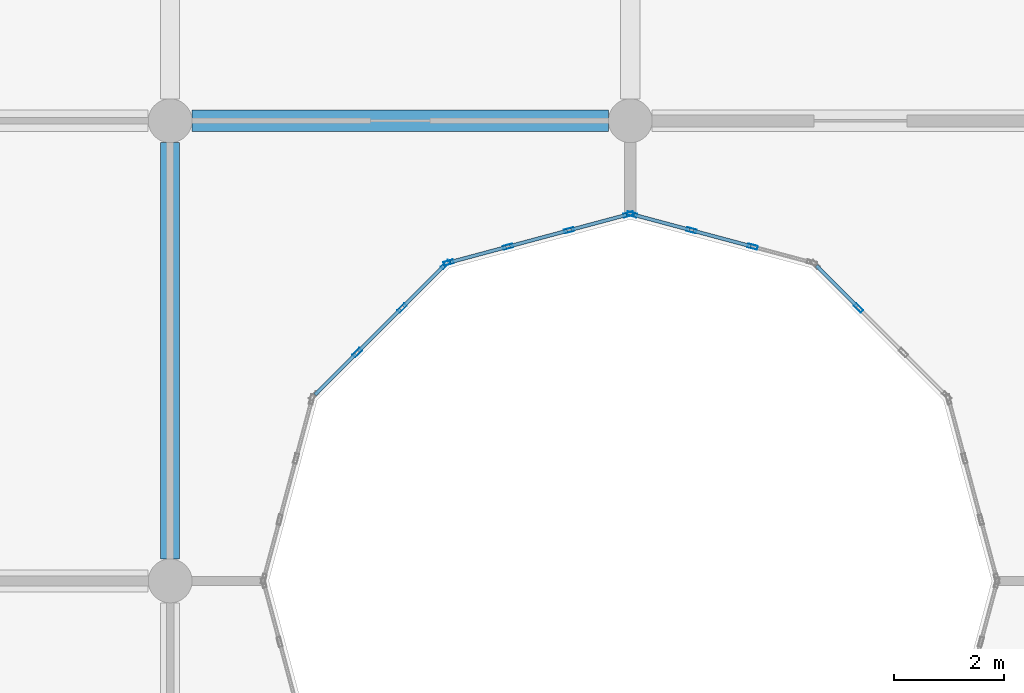
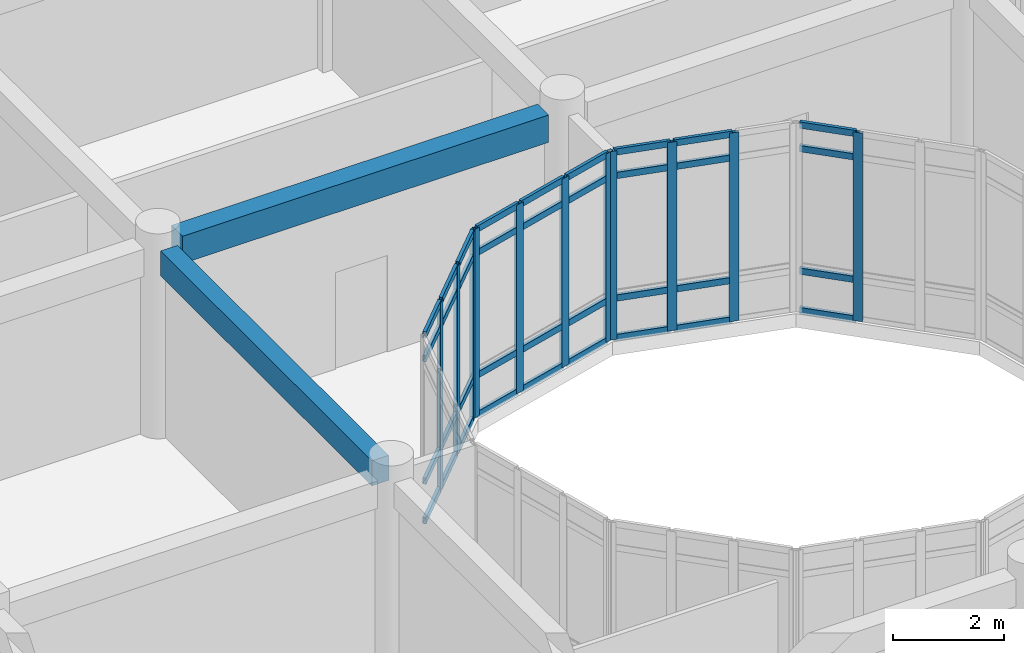
# One storey, part 36 of 144: 47 members, 2 beams, 4 elements without a shape of their own.
"""IFC4 building model written with IfcOpenShell, lengths in metres."""

from ifc_helpers import new_model, si_unit, direction, frame, origin, origin_2d, place, context, subcontext, project, spatial, rectangle, hollow_rectangle, extrude, material, layer, layer_set, material_profile, profile_set, type_object, element, aggregate, save


model = new_model("IFC4")

# Units and contexts
model_context = context("Model", 3, precision=1e-05, world=origin(), true_north=direction((0.0, 1.0)))
body_context = subcontext(model_context, "Body", "Model", "MODEL_VIEW")
ifc_project = project(units=[si_unit("LENGTHUNIT", "METRE"), si_unit("AREAUNIT", "SQUARE_METRE"), si_unit("VOLUMEUNIT", "CUBIC_METRE"), si_unit("PLANEANGLEUNIT", "RADIAN"), si_unit("MASSUNIT", "GRAM", prefix="KILO")], contexts=[model_context])

# Site, building, storey
site_placement = place(None, origin())
site = spatial("IfcSite", under=ifc_project, at=site_placement, CompositionType="ELEMENT")
building_placement = place(site_placement, origin())
building = spatial("IfcBuilding", under=site, at=building_placement, Name="Bramfleet General Hospital", CompositionType="ELEMENT")
storey_placement = place(building_placement, frame((0.0, 0.0, 4.800048828125)))
storey = spatial("IfcBuildingStorey", under=building, at=storey_placement, Name="L01", CompositionType="ELEMENT", Elevation=4.800048828125)

# Beams
ifc_material_1 = material(Name="Concrete C35/45", Category="concrete")
ifc_material_profile_1 = material_profile(ifc_material_1, rectangle(XDim=0.35009765625, YDim=0.550048828125, at=origin_2d()), Name="RC BM 550x350")
ifc_profile_set_1 = profile_set([ifc_material_profile_1], Name="Concrete C35/45")
beam_type_1 = type_object("IfcBeamType", Name="BM-RC550", PredefinedType="BEAM", material=ifc_profile_set_1)
beam_1_placement = place(storey_placement, frame((16.800048828125, 84.39990234375, 3.875), z_axis=(0.0, 1.0, 0.0), x_axis=(-1.0, 0.0, 0.0)))
element("IfcBeam", 1, at=beam_1_placement, inside=storey, type_object=beam_type_1, Name="L01 Grid Beam Y 02-10", PredefinedType="BEAM", context=body_context, shape_type="SweptSolid", body=[
    extrude(rectangle(XDim=0.35009765625, YDim=0.550048828125, at=origin_2d()), origin(), (0.0, 0.0, 1.0), 7.60009765625),
])
ifc_material_profile_2 = material_profile(ifc_material_1, rectangle(XDim=0.39990234375, YDim=0.60009765625, at=origin_2d()), Name="RC BM 600x400")
ifc_profile_set_2 = profile_set([ifc_material_profile_2], Name="Concrete C35/45")
beam_type_2 = type_object("IfcBeamType", Name="BM-RC600", PredefinedType="BEAM", material=ifc_profile_set_2)
beam_2_placement = place(storey_placement, frame((17.199951171875, 92.39990234375, 3.849853515625), z_axis=(1.0, 0.0, 0.0), x_axis=(0.0, 1.0, 0.0)))
element("IfcBeam", 2, at=beam_2_placement, inside=storey, type_object=beam_type_2, Name="L01 Grid Beam X 02-11", PredefinedType="BEAM", context=body_context, shape_type="SweptSolid", body=[
    extrude(rectangle(XDim=0.39990234375, YDim=0.60009765625, at=origin_2d()), origin(), (0.0, 0.0, 1.0), 7.60009765625),
])

# Curtain wall, member
ifc_material_2 = material(Name="Anodised aluminium and low-E triple glazing", Category="aluminium")
ifc_layer_1 = layer(ifc_material_2, 0.179931640625, Name="CWT-CW-16")
ifc_layer_set_1 = layer_set([ifc_layer_1], Name="Anodised aluminium and low-E triple glazing")
curtain_wall_type_1 = type_object("IfcCurtainWallType", Name="CWT-CW-16", PredefinedType="USERDEFINED", material=ifc_layer_set_1)
curtain_wall_1_placement = place(storey_placement, origin())
curtain_wall_1 = element("IfcCurtainWall", 3, at=curtain_wall_1_placement, inside=storey, type_object=curtain_wall_type_1, Name="L01 West Clinical Light Court Curtain Wall 8.1", ObjectType="Stick curtain wall", PredefinedType="USERDEFINED")
ifc_material_3 = material(Name="Anodised aluminium EN AW-6060", Category="aluminium")
ifc_material_profile_3 = material_profile(ifc_material_3, hollow_rectangle(XDim=0.070068359375, YDim=0.179931640625, WallThickness=0.00390625, at=origin_2d()), Name="ALU 180x70x4.0")
ifc_profile_set_3 = profile_set([ifc_material_profile_3], Name="Anodised aluminium EN AW-6060")
member_type_1 = type_object("IfcMemberType", Name="CWM-ALU180", PredefinedType="MULLION", material=ifc_profile_set_3)
member_1_placement = place(storey_placement, frame((29.367431640625, 88.984619140625, 0.0), z_axis=(0.0, 0.0, 1.0), x_axis=(-0.707106781187, -0.707106781187, 0.0)))
member_1 = element("IfcMember", 4, at=member_1_placement, type_object=member_type_1, Name="CW-16 mullion 3", PredefinedType="MULLION", context=body_context, shape_type="SweptSolid", body=[
    extrude(hollow_rectangle(XDim=0.070068359375, YDim=0.179931640625, WallThickness=0.00390625, at=origin_2d()), origin(), (0.0, 0.0, 1.0), 4.139892578125),
])

# Curtain wall, members
ifc_layer_2 = layer(ifc_material_2, 0.179931640625, Name="CWT-CW-17")
ifc_layer_set_2 = layer_set([ifc_layer_2], Name="Anodised aluminium and low-E triple glazing")
curtain_wall_type_2 = type_object("IfcCurtainWallType", Name="CWT-CW-17", PredefinedType="USERDEFINED", material=ifc_layer_set_2)
curtain_wall_2_placement = place(storey_placement, origin())
curtain_wall_2 = element("IfcCurtainWall", 5, at=curtain_wall_2_placement, inside=storey, type_object=curtain_wall_type_2, Name="L01 West Clinical Light Court Curtain Wall 9.1", ObjectType="Stick curtain wall", PredefinedType="USERDEFINED")
member_2_placement = place(storey_placement, frame((27.433349609375, 90.101318359375, 0.0), z_axis=(0.0, 0.0, 1.0), x_axis=(-0.25891863407, -0.965899136003, 0.0)))
member_2 = element("IfcMember", 6, at=member_2_placement, type_object=member_type_1, Name="CW-17 mullion 2", PredefinedType="MULLION", context=body_context, shape_type="SweptSolid", body=[
    extrude(hollow_rectangle(XDim=0.070068359375, YDim=0.179931640625, WallThickness=0.00390625, at=origin_2d()), origin(), (0.0, 0.0, 1.0), 4.139892578125),
])
member_3_placement = place(storey_placement, frame((26.316650390625, 90.400634765625, 0.0), z_axis=(0.0, 0.0, 1.0), x_axis=(-0.25891863407, -0.965899136003, 0.0)))
member_3 = element("IfcMember", 7, at=member_3_placement, type_object=member_type_1, Name="CW-17 mullion 3", PredefinedType="MULLION", context=body_context, shape_type="SweptSolid", body=[
    extrude(hollow_rectangle(XDim=0.070068359375, YDim=0.179931640625, WallThickness=0.00390625, at=origin_2d()), origin(), (0.0, 0.0, 1.0), 4.139892578125),
])
member_4_placement = place(storey_placement, frame((25.23388671875, 90.69091796875, 0.0), z_axis=(0.0, 0.0, 1.0), x_axis=(-0.25891863407, -0.965899136003, 0.0)))
member_4 = element("IfcMember", 8, at=member_4_placement, type_object=member_type_1, Name="CW-17 mullion 4", PredefinedType="MULLION", context=body_context, shape_type="SweptSolid", body=[
    extrude(hollow_rectangle(XDim=0.070068359375, YDim=0.179931640625, WallThickness=0.00390625, at=origin_2d()), origin(), (0.0, 0.0, 1.0), 4.139892578125),
])

ifc_layer_3 = layer(ifc_material_2, 0.179931640625, Name="CWT-CW-18")
ifc_layer_set_3 = layer_set([ifc_layer_3], Name="Anodised aluminium and low-E triple glazing")
curtain_wall_type_3 = type_object("IfcCurtainWallType", Name="CWT-CW-18", PredefinedType="USERDEFINED", material=ifc_layer_set_3)
curtain_wall_3_placement = place(storey_placement, origin())
curtain_wall_3 = element("IfcCurtainWall", 9, at=curtain_wall_3_placement, inside=storey, type_object=curtain_wall_type_3, Name="L01 West Clinical Light Court Curtain Wall 10.1", ObjectType="Stick curtain wall", PredefinedType="USERDEFINED")
member_5_placement = place(storey_placement, frame((25.166259765625, 90.69091796875, 0.0), z_axis=(0.0, 0.0, 1.0), x_axis=(0.25891863407, -0.965899136003, 0.0)))
member_5 = element("IfcMember", 10, at=member_5_placement, type_object=member_type_1, Name="CW-18 mullion 1", PredefinedType="MULLION", context=body_context, shape_type="SweptSolid", body=[
    extrude(hollow_rectangle(XDim=0.070068359375, YDim=0.179931640625, WallThickness=0.00390625, at=origin_2d()), origin(), (0.0, 0.0, 1.0), 4.139892578125),
])
member_6_placement = place(storey_placement, frame((24.083251953125, 90.400634765625, 0.0), z_axis=(0.0, 0.0, 1.0), x_axis=(0.25891863407, -0.965899136003, 0.0)))
member_6 = element("IfcMember", 11, at=member_6_placement, type_object=member_type_1, Name="CW-18 mullion 2", PredefinedType="MULLION", context=body_context, shape_type="SweptSolid", body=[
    extrude(hollow_rectangle(XDim=0.070068359375, YDim=0.179931640625, WallThickness=0.00390625, at=origin_2d()), origin(), (0.0, 0.0, 1.0), 4.139892578125),
])
member_7_placement = place(storey_placement, frame((22.966552734375, 90.101318359375, 0.0), z_axis=(0.0, 0.0, 1.0), x_axis=(0.25891863407, -0.965899136003, 0.0)))
member_7 = element("IfcMember", 12, at=member_7_placement, type_object=member_type_1, Name="CW-18 mullion 3", PredefinedType="MULLION", context=body_context, shape_type="SweptSolid", body=[
    extrude(hollow_rectangle(XDim=0.070068359375, YDim=0.179931640625, WallThickness=0.00390625, at=origin_2d()), origin(), (0.0, 0.0, 1.0), 4.139892578125),
])
member_8_placement = place(storey_placement, frame((21.8837890625, 89.81103515625, 0.0), z_axis=(0.0, 0.0, 1.0), x_axis=(0.25891863407, -0.965899136003, 0.0)))
member_8 = element("IfcMember", 13, at=member_8_placement, type_object=member_type_1, Name="CW-18 mullion 4", PredefinedType="MULLION", context=body_context, shape_type="SweptSolid", body=[
    extrude(hollow_rectangle(XDim=0.070068359375, YDim=0.179931640625, WallThickness=0.00390625, at=origin_2d()), origin(), (0.0, 0.0, 1.0), 4.139892578125),
])

ifc_layer_4 = layer(ifc_material_2, 0.179931640625, Name="CWT-CW-11")
ifc_layer_set_4 = layer_set([ifc_layer_4], Name="Anodised aluminium and low-E triple glazing")
curtain_wall_type_4 = type_object("IfcCurtainWallType", Name="CWT-CW-11", PredefinedType="USERDEFINED", material=ifc_layer_set_4)
curtain_wall_4_placement = place(storey_placement, origin())
curtain_wall_4 = element("IfcCurtainWall", 14, at=curtain_wall_4_placement, inside=storey, type_object=curtain_wall_type_4, Name="L01 West Clinical Light Court Curtain Wall 11.1", ObjectType="Stick curtain wall", PredefinedType="USERDEFINED")
member_9_placement = place(storey_placement, frame((21.8251953125, 89.77734375, 0.0), z_axis=(0.0, 0.0, 1.0), x_axis=(0.707106781187, -0.707106781187, 0.0)))
member_9 = element("IfcMember", 15, at=member_9_placement, type_object=member_type_1, Name="CW-11 mullion 1", PredefinedType="MULLION", context=body_context, shape_type="SweptSolid", body=[
    extrude(hollow_rectangle(XDim=0.070068359375, YDim=0.179931640625, WallThickness=0.00390625, at=origin_2d()), origin(), (0.0, 0.0, 1.0), 4.139892578125),
])
member_10_placement = place(storey_placement, frame((21.03271484375, 88.984619140625, 0.0), z_axis=(0.0, 0.0, 1.0), x_axis=(0.707106781187, -0.707106781187, 0.0)))
member_10 = element("IfcMember", 16, at=member_10_placement, type_object=member_type_1, Name="CW-11 mullion 2", PredefinedType="MULLION", context=body_context, shape_type="SweptSolid", body=[
    extrude(hollow_rectangle(XDim=0.070068359375, YDim=0.179931640625, WallThickness=0.00390625, at=origin_2d()), origin(), (0.0, 0.0, 1.0), 4.139892578125),
])
member_11_placement = place(storey_placement, frame((20.21533203125, 88.167236328125, 0.0), z_axis=(0.0, 0.0, 1.0), x_axis=(0.707106781187, -0.707106781187, 0.0)))
member_11 = element("IfcMember", 17, at=member_11_placement, type_object=member_type_1, Name="CW-11 mullion 3", PredefinedType="MULLION", context=body_context, shape_type="SweptSolid", body=[
    extrude(hollow_rectangle(XDim=0.070068359375, YDim=0.179931640625, WallThickness=0.00390625, at=origin_2d()), origin(), (0.0, 0.0, 1.0), 4.139892578125),
])

# Member
ifc_material_profile_4 = material_profile(ifc_material_3, hollow_rectangle(XDim=0.06494140625, YDim=0.139892578125, WallThickness=0.00390625, at=origin_2d()), Name="ALU 140x65x4.0")
ifc_profile_set_4 = profile_set([ifc_material_profile_4], Name="Anodised aluminium EN AW-6060")
member_type_2 = type_object("IfcMemberType", Name="CWT-ALU140", PredefinedType="USERDEFINED", material=ifc_profile_set_4)
member_12_placement = place(storey_placement, frame((29.342529296875, 89.009521484375, 0.032470703125), z_axis=(-0.707106781187, 0.707106781187, 0.0), x_axis=(-0.707106781187, -0.707106781187, 0.0)))
member_12 = element("IfcMember", 18, at=member_12_placement, type_object=member_type_2, Name="CW-16 transom 3.1", ObjectType="TRANSOM", PredefinedType="USERDEFINED", context=body_context, shape_type="SweptSolid", body=[
    extrude(hollow_rectangle(XDim=0.06494140625, YDim=0.139892578125, WallThickness=0.00390625, at=origin_2d()), origin(), (0.0, 0.0, 1.0), 1.050537109375),
])

member_13_placement = place(storey_placement, frame((29.342529296875, 89.009521484375, 0.89990234375), z_axis=(-0.707106781187, 0.707106781187, 0.0), x_axis=(-0.707106781187, -0.707106781187, 0.0)))
member_13 = element("IfcMember", 19, at=member_13_placement, type_object=member_type_2, Name="CW-16 transom 3.2", ObjectType="TRANSOM", PredefinedType="USERDEFINED", context=body_context, shape_type="SweptSolid", body=[
    extrude(hollow_rectangle(XDim=0.06494140625, YDim=0.139892578125, WallThickness=0.00390625, at=origin_2d()), origin(), (0.0, 0.0, 1.0), 1.050537109375),
])

member_14_placement = place(storey_placement, frame((29.342529296875, 89.009521484375, 3.58984375), z_axis=(-0.707106781187, 0.707106781187, 0.0), x_axis=(-0.707106781187, -0.707106781187, 0.0)))
member_14 = element("IfcMember", 20, at=member_14_placement, type_object=member_type_2, Name="CW-16 transom 3.3", ObjectType="TRANSOM", PredefinedType="USERDEFINED", context=body_context, shape_type="SweptSolid", body=[
    extrude(hollow_rectangle(XDim=0.06494140625, YDim=0.139892578125, WallThickness=0.00390625, at=origin_2d()), origin(), (0.0, 0.0, 1.0), 1.050537109375),
])

member_15_placement = place(storey_placement, frame((29.342529296875, 89.009521484375, 4.107421875), z_axis=(-0.707106781187, 0.707106781187, 0.0), x_axis=(-0.707106781187, -0.707106781187, 0.0)))
member_15 = element("IfcMember", 21, at=member_15_placement, type_object=member_type_2, Name="CW-16 transom 3.4", ObjectType="TRANSOM", PredefinedType="USERDEFINED", context=body_context, shape_type="SweptSolid", body=[
    extrude(hollow_rectangle(XDim=0.06494140625, YDim=0.139892578125, WallThickness=0.00390625, at=origin_2d()), origin(), (0.0, 0.0, 1.0), 1.050537109375),
])

aggregate(curtain_wall_1, [member_1, member_12, member_13, member_14, member_15])

member_16_placement = place(storey_placement, frame((27.3994140625, 90.1103515625, 0.032470703125), z_axis=(-0.965875768108, 0.259005792565, 0.0), x_axis=(-0.259005792565, -0.965875768108, 0.0)))
member_16 = element("IfcMember", 22, at=member_16_placement, type_object=member_type_2, Name="CW-17 transom 2.1", ObjectType="TRANSOM", PredefinedType="USERDEFINED", context=body_context, shape_type="SweptSolid", body=[
    extrude(hollow_rectangle(XDim=0.06494140625, YDim=0.139892578125, WallThickness=0.00390625, at=origin_2d()), origin(), (0.0, 0.0, 1.0), 1.0859375),
])

member_17_placement = place(storey_placement, frame((27.3994140625, 90.1103515625, 0.89990234375), z_axis=(-0.965875768108, 0.259005792565, 0.0), x_axis=(-0.259005792565, -0.965875768108, 0.0)))
member_17 = element("IfcMember", 23, at=member_17_placement, type_object=member_type_2, Name="CW-17 transom 2.2", ObjectType="TRANSOM", PredefinedType="USERDEFINED", context=body_context, shape_type="SweptSolid", body=[
    extrude(hollow_rectangle(XDim=0.06494140625, YDim=0.139892578125, WallThickness=0.00390625, at=origin_2d()), origin(), (0.0, 0.0, 1.0), 1.0859375),
])

member_18_placement = place(storey_placement, frame((27.3994140625, 90.1103515625, 3.58984375), z_axis=(-0.965875768108, 0.259005792565, 0.0), x_axis=(-0.259005792565, -0.965875768108, 0.0)))
member_18 = element("IfcMember", 24, at=member_18_placement, type_object=member_type_2, Name="CW-17 transom 2.3", ObjectType="TRANSOM", PredefinedType="USERDEFINED", context=body_context, shape_type="SweptSolid", body=[
    extrude(hollow_rectangle(XDim=0.06494140625, YDim=0.139892578125, WallThickness=0.00390625, at=origin_2d()), origin(), (0.0, 0.0, 1.0), 1.0859375),
])

member_19_placement = place(storey_placement, frame((27.3994140625, 90.1103515625, 4.107421875), z_axis=(-0.965875768108, 0.259005792565, 0.0), x_axis=(-0.259005792565, -0.965875768108, 0.0)))
member_19 = element("IfcMember", 25, at=member_19_placement, type_object=member_type_2, Name="CW-17 transom 2.4", ObjectType="TRANSOM", PredefinedType="USERDEFINED", context=body_context, shape_type="SweptSolid", body=[
    extrude(hollow_rectangle(XDim=0.06494140625, YDim=0.139892578125, WallThickness=0.00390625, at=origin_2d()), origin(), (0.0, 0.0, 1.0), 1.0859375),
])

member_20_placement = place(storey_placement, frame((26.282958984375, 90.40966796875, 0.032470703125), z_axis=(-0.965891021523, 0.258948903342, 0.0), x_axis=(-0.258948903342, -0.965891021523, 0.0)))
member_20 = element("IfcMember", 26, at=member_20_placement, type_object=member_type_2, Name="CW-17 transom 3.1", ObjectType="TRANSOM", PredefinedType="USERDEFINED", context=body_context, shape_type="SweptSolid", body=[
    extrude(hollow_rectangle(XDim=0.06494140625, YDim=0.139892578125, WallThickness=0.00390625, at=origin_2d()), origin(), (0.0, 0.0, 1.0), 1.05126953125),
])

member_21_placement = place(storey_placement, frame((26.282958984375, 90.40966796875, 0.89990234375), z_axis=(-0.965891021523, 0.258948903342, 0.0), x_axis=(-0.258948903342, -0.965891021523, 0.0)))
member_21 = element("IfcMember", 27, at=member_21_placement, type_object=member_type_2, Name="CW-17 transom 3.2", ObjectType="TRANSOM", PredefinedType="USERDEFINED", context=body_context, shape_type="SweptSolid", body=[
    extrude(hollow_rectangle(XDim=0.06494140625, YDim=0.139892578125, WallThickness=0.00390625, at=origin_2d()), origin(), (0.0, 0.0, 1.0), 1.05126953125),
])

member_22_placement = place(storey_placement, frame((26.282958984375, 90.40966796875, 3.58984375), z_axis=(-0.965891021523, 0.258948903342, 0.0), x_axis=(-0.258948903342, -0.965891021523, 0.0)))
member_22 = element("IfcMember", 28, at=member_22_placement, type_object=member_type_2, Name="CW-17 transom 3.3", ObjectType="TRANSOM", PredefinedType="USERDEFINED", context=body_context, shape_type="SweptSolid", body=[
    extrude(hollow_rectangle(XDim=0.06494140625, YDim=0.139892578125, WallThickness=0.00390625, at=origin_2d()), origin(), (0.0, 0.0, 1.0), 1.05126953125),
])

member_23_placement = place(storey_placement, frame((26.282958984375, 90.40966796875, 4.107421875), z_axis=(-0.965891021523, 0.258948903342, 0.0), x_axis=(-0.258948903342, -0.965891021523, 0.0)))
member_23 = element("IfcMember", 29, at=member_23_placement, type_object=member_type_2, Name="CW-17 transom 3.4", ObjectType="TRANSOM", PredefinedType="USERDEFINED", context=body_context, shape_type="SweptSolid", body=[
    extrude(hollow_rectangle(XDim=0.06494140625, YDim=0.139892578125, WallThickness=0.00390625, at=origin_2d()), origin(), (0.0, 0.0, 1.0), 1.05126953125),
])

aggregate(curtain_wall_2, [member_2, member_3, member_4, member_16, member_17, member_18, member_19, member_20, member_21, member_22, member_23])

member_24_placement = place(storey_placement, frame((25.13232421875, 90.681884765625, 0.032470703125), z_axis=(-0.965875443458, -0.259007003236, 0.0), x_axis=(0.259007003236, -0.965875443458, 0.0)))
member_24 = element("IfcMember", 30, at=member_24_placement, type_object=member_type_2, Name="CW-18 transom 1.1", ObjectType="TRANSOM", PredefinedType="USERDEFINED", context=body_context, shape_type="SweptSolid", body=[
    extrude(hollow_rectangle(XDim=0.06494140625, YDim=0.139892578125, WallThickness=0.00390625, at=origin_2d()), origin(), (0.0, 0.0, 1.0), 1.051025390625),
])

member_25_placement = place(storey_placement, frame((25.13232421875, 90.681884765625, 0.89990234375), z_axis=(-0.965875443458, -0.259007003236, 0.0), x_axis=(0.259007003236, -0.965875443458, 0.0)))
member_25 = element("IfcMember", 31, at=member_25_placement, type_object=member_type_2, Name="CW-18 transom 1.2", ObjectType="TRANSOM", PredefinedType="USERDEFINED", context=body_context, shape_type="SweptSolid", body=[
    extrude(hollow_rectangle(XDim=0.06494140625, YDim=0.139892578125, WallThickness=0.00390625, at=origin_2d()), origin(), (0.0, 0.0, 1.0), 1.051025390625),
])

member_26_placement = place(storey_placement, frame((25.13232421875, 90.681884765625, 3.58984375), z_axis=(-0.965875443458, -0.259007003236, 0.0), x_axis=(0.259007003236, -0.965875443458, 0.0)))
member_26 = element("IfcMember", 32, at=member_26_placement, type_object=member_type_2, Name="CW-18 transom 1.3", ObjectType="TRANSOM", PredefinedType="USERDEFINED", context=body_context, shape_type="SweptSolid", body=[
    extrude(hollow_rectangle(XDim=0.06494140625, YDim=0.139892578125, WallThickness=0.00390625, at=origin_2d()), origin(), (0.0, 0.0, 1.0), 1.051025390625),
])

member_27_placement = place(storey_placement, frame((25.13232421875, 90.681884765625, 4.107421875), z_axis=(-0.965875443458, -0.259007003236, 0.0), x_axis=(0.259007003236, -0.965875443458, 0.0)))
member_27 = element("IfcMember", 33, at=member_27_placement, type_object=member_type_2, Name="CW-18 transom 1.4", ObjectType="TRANSOM", PredefinedType="USERDEFINED", context=body_context, shape_type="SweptSolid", body=[
    extrude(hollow_rectangle(XDim=0.06494140625, YDim=0.139892578125, WallThickness=0.00390625, at=origin_2d()), origin(), (0.0, 0.0, 1.0), 1.051025390625),
])

member_28_placement = place(storey_placement, frame((24.049560546875, 90.3916015625, 0.032470703125), z_axis=(-0.965890845787, -0.258949558843, 0.0), x_axis=(0.258949558843, -0.965890845787, 0.0)))
member_28 = element("IfcMember", 34, at=member_28_placement, type_object=member_type_2, Name="CW-18 transom 2.1", ObjectType="TRANSOM", PredefinedType="USERDEFINED", context=body_context, shape_type="SweptSolid", body=[
    extrude(hollow_rectangle(XDim=0.06494140625, YDim=0.139892578125, WallThickness=0.00390625, at=origin_2d()), origin(), (0.0, 0.0, 1.0), 1.086181640625),
])

member_29_placement = place(storey_placement, frame((24.049560546875, 90.3916015625, 0.89990234375), z_axis=(-0.965890845787, -0.258949558843, 0.0), x_axis=(0.258949558843, -0.965890845787, 0.0)))
member_29 = element("IfcMember", 35, at=member_29_placement, type_object=member_type_2, Name="CW-18 transom 2.2", ObjectType="TRANSOM", PredefinedType="USERDEFINED", context=body_context, shape_type="SweptSolid", body=[
    extrude(hollow_rectangle(XDim=0.06494140625, YDim=0.139892578125, WallThickness=0.00390625, at=origin_2d()), origin(), (0.0, 0.0, 1.0), 1.086181640625),
])

member_30_placement = place(storey_placement, frame((24.049560546875, 90.3916015625, 3.58984375), z_axis=(-0.965890845787, -0.258949558843, 0.0), x_axis=(0.258949558843, -0.965890845787, 0.0)))
member_30 = element("IfcMember", 36, at=member_30_placement, type_object=member_type_2, Name="CW-18 transom 2.3", ObjectType="TRANSOM", PredefinedType="USERDEFINED", context=body_context, shape_type="SweptSolid", body=[
    extrude(hollow_rectangle(XDim=0.06494140625, YDim=0.139892578125, WallThickness=0.00390625, at=origin_2d()), origin(), (0.0, 0.0, 1.0), 1.086181640625),
])

member_31_placement = place(storey_placement, frame((24.049560546875, 90.3916015625, 4.107421875), z_axis=(-0.965890845787, -0.258949558843, 0.0), x_axis=(0.258949558843, -0.965890845787, 0.0)))
member_31 = element("IfcMember", 37, at=member_31_placement, type_object=member_type_2, Name="CW-18 transom 2.4", ObjectType="TRANSOM", PredefinedType="USERDEFINED", context=body_context, shape_type="SweptSolid", body=[
    extrude(hollow_rectangle(XDim=0.06494140625, YDim=0.139892578125, WallThickness=0.00390625, at=origin_2d()), origin(), (0.0, 0.0, 1.0), 1.086181640625),
])

member_32_placement = place(storey_placement, frame((22.932861328125, 90.09228515625, 0.032470703125), z_axis=(-0.965875443458, -0.259007003236, 0.0), x_axis=(0.259007003236, -0.965875443458, 0.0)))
member_32 = element("IfcMember", 38, at=member_32_placement, type_object=member_type_2, Name="CW-18 transom 3.1", ObjectType="TRANSOM", PredefinedType="USERDEFINED", context=body_context, shape_type="SweptSolid", body=[
    extrude(hollow_rectangle(XDim=0.06494140625, YDim=0.139892578125, WallThickness=0.00390625, at=origin_2d()), origin(), (0.0, 0.0, 1.0), 1.051025390625),
])

member_33_placement = place(storey_placement, frame((22.932861328125, 90.09228515625, 0.89990234375), z_axis=(-0.965875443458, -0.259007003236, 0.0), x_axis=(0.259007003236, -0.965875443458, 0.0)))
member_33 = element("IfcMember", 39, at=member_33_placement, type_object=member_type_2, Name="CW-18 transom 3.2", ObjectType="TRANSOM", PredefinedType="USERDEFINED", context=body_context, shape_type="SweptSolid", body=[
    extrude(hollow_rectangle(XDim=0.06494140625, YDim=0.139892578125, WallThickness=0.00390625, at=origin_2d()), origin(), (0.0, 0.0, 1.0), 1.051025390625),
])

member_34_placement = place(storey_placement, frame((22.932861328125, 90.09228515625, 3.58984375), z_axis=(-0.965875443458, -0.259007003236, 0.0), x_axis=(0.259007003236, -0.965875443458, 0.0)))
member_34 = element("IfcMember", 40, at=member_34_placement, type_object=member_type_2, Name="CW-18 transom 3.3", ObjectType="TRANSOM", PredefinedType="USERDEFINED", context=body_context, shape_type="SweptSolid", body=[
    extrude(hollow_rectangle(XDim=0.06494140625, YDim=0.139892578125, WallThickness=0.00390625, at=origin_2d()), origin(), (0.0, 0.0, 1.0), 1.051025390625),
])

member_35_placement = place(storey_placement, frame((22.932861328125, 90.09228515625, 4.107421875), z_axis=(-0.965875443458, -0.259007003236, 0.0), x_axis=(0.259007003236, -0.965875443458, 0.0)))
member_35 = element("IfcMember", 41, at=member_35_placement, type_object=member_type_2, Name="CW-18 transom 3.4", ObjectType="TRANSOM", PredefinedType="USERDEFINED", context=body_context, shape_type="SweptSolid", body=[
    extrude(hollow_rectangle(XDim=0.06494140625, YDim=0.139892578125, WallThickness=0.00390625, at=origin_2d()), origin(), (0.0, 0.0, 1.0), 1.051025390625),
])

aggregate(curtain_wall_3, [member_5, member_6, member_7, member_8, member_24, member_25, member_26, member_27, member_28, member_29, member_30, member_31, member_32, member_33, member_34, member_35])

member_36_placement = place(storey_placement, frame((21.800537109375, 89.75244140625, 0.032470703125), z_axis=(-0.707222938356, -0.706990604933, 0.0), x_axis=(0.706990604933, -0.707222938356, 0.0)))
member_36 = element("IfcMember", 42, at=member_36_placement, type_object=member_type_2, Name="CW-11 transom 1.1", ObjectType="TRANSOM", PredefinedType="USERDEFINED", context=body_context, shape_type="SweptSolid", body=[
    extrude(hollow_rectangle(XDim=0.06494140625, YDim=0.139892578125, WallThickness=0.00390625, at=origin_2d()), origin(), (0.0, 0.0, 1.0), 1.05078125),
])

member_37_placement = place(storey_placement, frame((21.800537109375, 89.75244140625, 0.89990234375), z_axis=(-0.707222938356, -0.706990604933, 0.0), x_axis=(0.706990604933, -0.707222938356, 0.0)))
member_37 = element("IfcMember", 43, at=member_37_placement, type_object=member_type_2, Name="CW-11 transom 1.2", ObjectType="TRANSOM", PredefinedType="USERDEFINED", context=body_context, shape_type="SweptSolid", body=[
    extrude(hollow_rectangle(XDim=0.06494140625, YDim=0.139892578125, WallThickness=0.00390625, at=origin_2d()), origin(), (0.0, 0.0, 1.0), 1.05078125),
])

member_38_placement = place(storey_placement, frame((21.800537109375, 89.75244140625, 3.58984375), z_axis=(-0.707222938356, -0.706990604933, 0.0), x_axis=(0.706990604933, -0.707222938356, 0.0)))
member_38 = element("IfcMember", 44, at=member_38_placement, type_object=member_type_2, Name="CW-11 transom 1.3", ObjectType="TRANSOM", PredefinedType="USERDEFINED", context=body_context, shape_type="SweptSolid", body=[
    extrude(hollow_rectangle(XDim=0.06494140625, YDim=0.139892578125, WallThickness=0.00390625, at=origin_2d()), origin(), (0.0, 0.0, 1.0), 1.05078125),
])

member_39_placement = place(storey_placement, frame((21.800537109375, 89.75244140625, 4.107421875), z_axis=(-0.707222938356, -0.706990604933, 0.0), x_axis=(0.706990604933, -0.707222938356, 0.0)))
member_39 = element("IfcMember", 45, at=member_39_placement, type_object=member_type_2, Name="CW-11 transom 1.4", ObjectType="TRANSOM", PredefinedType="USERDEFINED", context=body_context, shape_type="SweptSolid", body=[
    extrude(hollow_rectangle(XDim=0.06494140625, YDim=0.139892578125, WallThickness=0.00390625, at=origin_2d()), origin(), (0.0, 0.0, 1.0), 1.05078125),
])

member_40_placement = place(storey_placement, frame((21.0078125, 88.9599609375, 0.032470703125), z_axis=(-0.707106781187, -0.707106781187, 0.0), x_axis=(0.707106781187, -0.707106781187, 0.0)))
member_40 = element("IfcMember", 46, at=member_40_placement, type_object=member_type_2, Name="CW-11 transom 2.1", ObjectType="TRANSOM", PredefinedType="USERDEFINED", context=body_context, shape_type="SweptSolid", body=[
    extrude(hollow_rectangle(XDim=0.06494140625, YDim=0.139892578125, WallThickness=0.00390625, at=origin_2d()), origin(), (0.0, 0.0, 1.0), 1.0859375),
])

member_41_placement = place(storey_placement, frame((21.0078125, 88.9599609375, 0.89990234375), z_axis=(-0.707106781187, -0.707106781187, 0.0), x_axis=(0.707106781187, -0.707106781187, 0.0)))
member_41 = element("IfcMember", 47, at=member_41_placement, type_object=member_type_2, Name="CW-11 transom 2.2", ObjectType="TRANSOM", PredefinedType="USERDEFINED", context=body_context, shape_type="SweptSolid", body=[
    extrude(hollow_rectangle(XDim=0.06494140625, YDim=0.139892578125, WallThickness=0.00390625, at=origin_2d()), origin(), (0.0, 0.0, 1.0), 1.0859375),
])

member_42_placement = place(storey_placement, frame((21.0078125, 88.9599609375, 3.58984375), z_axis=(-0.707106781187, -0.707106781187, 0.0), x_axis=(0.707106781187, -0.707106781187, 0.0)))
member_42 = element("IfcMember", 48, at=member_42_placement, type_object=member_type_2, Name="CW-11 transom 2.3", ObjectType="TRANSOM", PredefinedType="USERDEFINED", context=body_context, shape_type="SweptSolid", body=[
    extrude(hollow_rectangle(XDim=0.06494140625, YDim=0.139892578125, WallThickness=0.00390625, at=origin_2d()), origin(), (0.0, 0.0, 1.0), 1.0859375),
])

member_43_placement = place(storey_placement, frame((21.0078125, 88.9599609375, 4.107421875), z_axis=(-0.707106781187, -0.707106781187, 0.0), x_axis=(0.707106781187, -0.707106781187, 0.0)))
member_43 = element("IfcMember", 49, at=member_43_placement, type_object=member_type_2, Name="CW-11 transom 2.4", ObjectType="TRANSOM", PredefinedType="USERDEFINED", context=body_context, shape_type="SweptSolid", body=[
    extrude(hollow_rectangle(XDim=0.06494140625, YDim=0.139892578125, WallThickness=0.00390625, at=origin_2d()), origin(), (0.0, 0.0, 1.0), 1.0859375),
])

member_44_placement = place(storey_placement, frame((20.190673828125, 88.142578125, 0.032470703125), z_axis=(-0.707106781187, -0.707106781187, 0.0), x_axis=(0.707106781187, -0.707106781187, 0.0)))
member_44 = element("IfcMember", 50, at=member_44_placement, type_object=member_type_2, Name="CW-11 transom 3.1", ObjectType="TRANSOM", PredefinedType="USERDEFINED", context=body_context, shape_type="SweptSolid", body=[
    extrude(hollow_rectangle(XDim=0.06494140625, YDim=0.139892578125, WallThickness=0.00390625, at=origin_2d()), origin(), (0.0, 0.0, 1.0), 1.051025390625),
])

member_45_placement = place(storey_placement, frame((20.190673828125, 88.142578125, 0.89990234375), z_axis=(-0.707106781187, -0.707106781187, 0.0), x_axis=(0.707106781187, -0.707106781187, 0.0)))
member_45 = element("IfcMember", 51, at=member_45_placement, type_object=member_type_2, Name="CW-11 transom 3.2", ObjectType="TRANSOM", PredefinedType="USERDEFINED", context=body_context, shape_type="SweptSolid", body=[
    extrude(hollow_rectangle(XDim=0.06494140625, YDim=0.139892578125, WallThickness=0.00390625, at=origin_2d()), origin(), (0.0, 0.0, 1.0), 1.051025390625),
])

member_46_placement = place(storey_placement, frame((20.190673828125, 88.142578125, 3.58984375), z_axis=(-0.707106781187, -0.707106781187, 0.0), x_axis=(0.707106781187, -0.707106781187, 0.0)))
member_46 = element("IfcMember", 52, at=member_46_placement, type_object=member_type_2, Name="CW-11 transom 3.3", ObjectType="TRANSOM", PredefinedType="USERDEFINED", context=body_context, shape_type="SweptSolid", body=[
    extrude(hollow_rectangle(XDim=0.06494140625, YDim=0.139892578125, WallThickness=0.00390625, at=origin_2d()), origin(), (0.0, 0.0, 1.0), 1.051025390625),
])

member_47_placement = place(storey_placement, frame((20.190673828125, 88.142578125, 4.107421875), z_axis=(-0.707106781187, -0.707106781187, 0.0), x_axis=(0.707106781187, -0.707106781187, 0.0)))
member_47 = element("IfcMember", 53, at=member_47_placement, type_object=member_type_2, Name="CW-11 transom 3.4", ObjectType="TRANSOM", PredefinedType="USERDEFINED", context=body_context, shape_type="SweptSolid", body=[
    extrude(hollow_rectangle(XDim=0.06494140625, YDim=0.139892578125, WallThickness=0.00390625, at=origin_2d()), origin(), (0.0, 0.0, 1.0), 1.051025390625),
])

aggregate(curtain_wall_4, [member_9, member_10, member_11, member_36, member_37, member_38, member_39, member_40, member_41, member_42, member_43, member_44, member_45, member_46, member_47])

save(model, "model.ifc")
